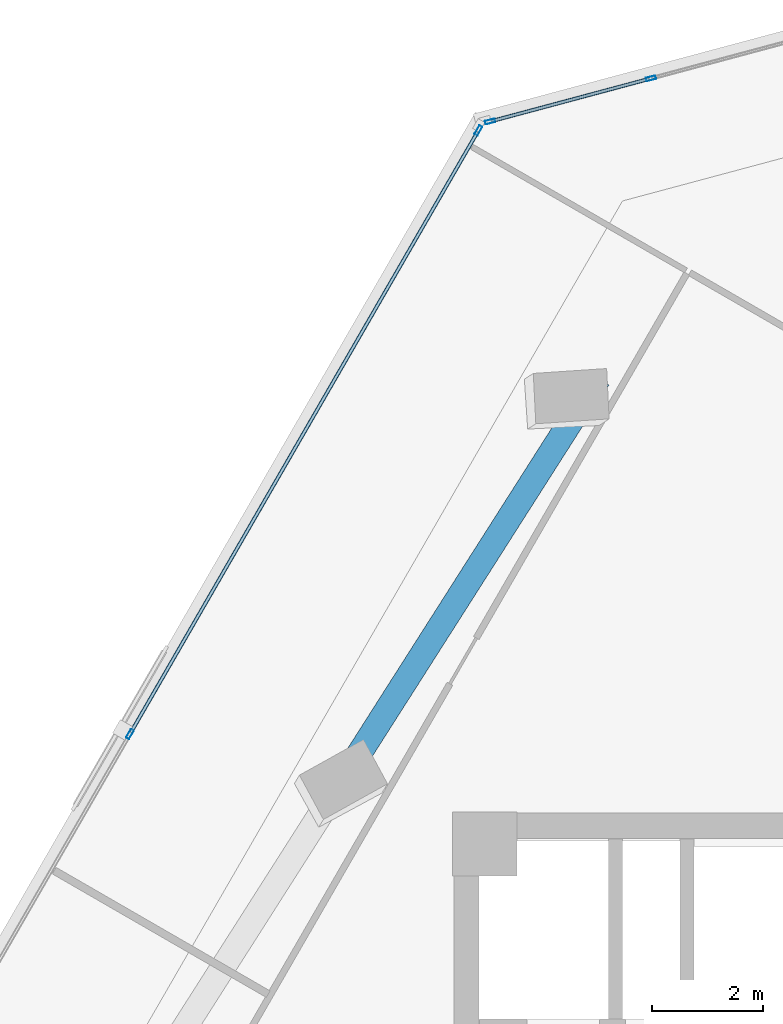
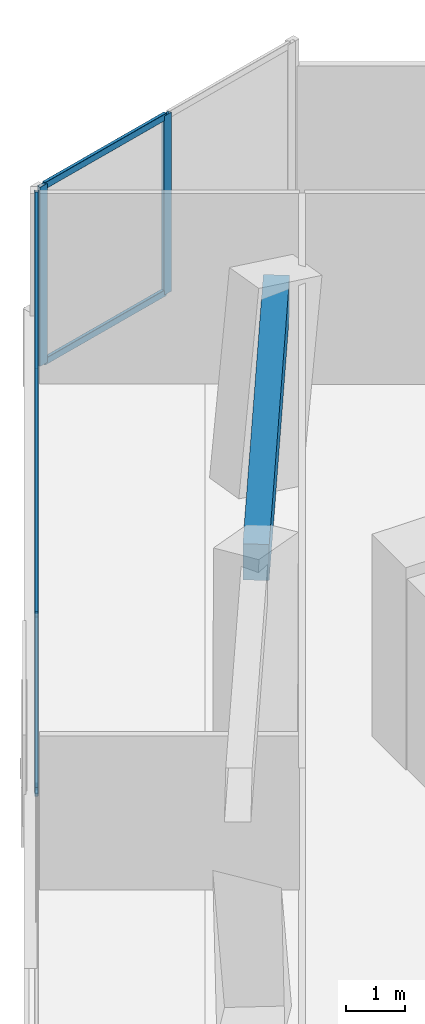
# One storey, part 12 of 22: 8 members, 1 beam, 2 elements without a shape of their own.
"""IFC4 building model written with IfcOpenShell, lengths in metres."""

from ifc_helpers import new_model, si_unit, direction, frame, origin, origin_2d, place, context, subcontext, project, spatial, rectangle, hollow_rectangle, extrude, source, transform, mapped, material, material_profile, profile_set, type_object, element, aggregate, save


model = new_model("IFC4")

# Units and contexts
model_context = context("Model", 3, precision=1e-05, world=origin(), true_north=direction((0.0, 1.0)))
body_context = subcontext(model_context, "Body", "Model", "MODEL_VIEW")
ifc_project = project(units=[si_unit("LENGTHUNIT", "METRE"), si_unit("AREAUNIT", "SQUARE_METRE"), si_unit("VOLUMEUNIT", "CUBIC_METRE"), si_unit("PLANEANGLEUNIT", "RADIAN"), si_unit("MASSUNIT", "GRAM", prefix="KILO")], contexts=[model_context])

# Site, building, storey
site_placement = place(None, origin())
site = spatial("IfcSite", under=ifc_project, at=site_placement, CompositionType="ELEMENT")
building_placement = place(site_placement, origin())
building = spatial("IfcBuilding", under=site, at=building_placement, Name="Torre Montelarca", CompositionType="ELEMENT")
storey_placement = place(building_placement, frame((0.0, 0.0, 183.39990234375)))
storey = spatial("IfcBuildingStorey", under=building, at=storey_placement, Name="L41", CompositionType="ELEMENT", Elevation=183.39990234375)

# Beam
ifc_material_1 = material(Name="Concrete C55/67", Category="concrete")
ifc_material_profile_1 = material_profile(ifc_material_1, rectangle(XDim=0.449951171875, YDim=0.75, at=origin_2d()), Name="RCB450X750", Category="concrete")
ifc_profile_set_1 = profile_set([ifc_material_profile_1], Name="Concrete C55/67")
beam_type = type_object("IfcBeamType", Name="BM-SP-RC750-EXT", PredefinedType="SPANDREL", material=ifc_profile_set_1)
shared_shape_1 = source(origin(), body_context, "Body", "SweptSolid", [
    extrude(rectangle(XDim=0.449951171875, YDim=0.75, at=origin_2d()), origin(), (0.0, 0.0, 1.0), 8.0),
])
beam_placement = place(storey_placement, frame((7.288818359375, 41.053466796875, 3.585205078125), z_axis=(0.537319715065, 0.843378636084, 0.0), x_axis=(-0.843378636084, 0.537319715065, 0.0)))
element("IfcBeam", 1, at=beam_placement, inside=storey, type_object=beam_type, Name="L41 Grid Girder Y 32.0-40.0 at X=4.7", PredefinedType="SPANDREL", context=body_context, shape_type="MappedRepresentation", body=[
    mapped(shared_shape_1, transform((0.0, 0.0, 0.0), scale=1.0)),
])

# Curtain wall, members
ifc_material_2 = material(Name="Insulated low-E laminated glass", Category="glass")
curtain_wall_type = type_object("IfcCurtainWallType", Name="CW-SYS-Z2", PredefinedType="USERDEFINED", material=ifc_material_2)
curtain_wall_1_placement = place(storey_placement, origin())
curtain_wall_1 = element("IfcCurtainWall", 2, at=curtain_wall_1_placement, inside=storey, type_object=curtain_wall_type, Name="L41 Curtain Wall Run CW-T3-L41-E09-B1", ObjectType="UNITISED GLAZING", PredefinedType="USERDEFINED")
ifc_material_3 = material(Name="Anodised aluminium AA 6063-T6", Category="aluminium")
ifc_material_profile_2 = material_profile(ifc_material_3, hollow_rectangle(XDim=0.06494140625, YDim=0.139892578125, WallThickness=0.00390625, InnerFilletRadius=0.00390625, OuterFilletRadius=0.008056640625, at=origin_2d()), Name="ALU65X140X4", Category="aluminium")
ifc_profile_set_2 = profile_set([ifc_material_profile_2], Name="Anodised aluminium AA 6063-T6")
member_type_1 = type_object("IfcMemberType", Name="CWT-ALU140", PredefinedType="USERDEFINED", material=ifc_profile_set_2)
shared_shape_2 = source(origin(), body_context, "Body", "SweptSolid", [
    extrude(hollow_rectangle(XDim=0.06494140625, YDim=0.139892578125, WallThickness=0.00390625, InnerFilletRadius=0.00390625, OuterFilletRadius=0.008056640625, at=origin_2d()), origin(), (0.0, 0.0, 1.0), 2.91845703125),
])
member_1_placement = place(storey_placement, frame((12.4990234375, 53.172119140625, 0.03271484375), z_axis=(-0.965926021302, -0.258818317304, 0.0), x_axis=(0.258818317304, -0.965926021302, 0.0)))
member_1 = element("IfcMember", 3, at=member_1_placement, type_object=member_type_1, Name="CW transom 2.1", ObjectType="TRANSOM", PredefinedType="USERDEFINED", context=body_context, shape_type="MappedRepresentation", body=[
    mapped(shared_shape_2, transform((0.0, 0.0, 0.0), scale=1.0)),
])
member_2_placement = place(storey_placement, frame((12.4990234375, 53.172119140625, 3.6875), z_axis=(-0.965926021302, -0.258818317304, 0.0), x_axis=(0.258818317304, -0.965926021302, 0.0)))
member_2 = element("IfcMember", 4, at=member_2_placement, type_object=member_type_1, Name="CW transom 2.2", ObjectType="TRANSOM", PredefinedType="USERDEFINED", context=body_context, shape_type="MappedRepresentation", body=[
    mapped(shared_shape_2, transform((0.0, 0.0, 0.0), scale=1.0)),
])

curtain_wall_2_placement = place(storey_placement, origin())
curtain_wall_2 = element("IfcCurtainWall", 5, at=curtain_wall_2_placement, inside=storey, type_object=curtain_wall_type, Name="L41 Curtain Wall Run CW-T3-L41-E10-B1", ObjectType="UNITISED GLAZING", PredefinedType="USERDEFINED")
shared_shape_3 = source(origin(), body_context, "Body", "SweptSolid", [
    extrude(hollow_rectangle(XDim=0.06494140625, YDim=0.139892578125, WallThickness=0.00390625, InnerFilletRadius=0.00390625, OuterFilletRadius=0.008056640625, at=origin_2d()), origin(), (0.0, 0.0, 1.0), 12.4365234375),
])
member_3_placement = place(storey_placement, frame((9.42041015625, 52.217529296875, 0.03271484375), z_axis=(-0.500002839747, -0.86602376425, 0.0), x_axis=(0.86602376425, -0.500002839747, 0.0)))
member_3 = element("IfcMember", 6, at=member_3_placement, type_object=member_type_1, Name="CW transom 1.1", ObjectType="TRANSOM", PredefinedType="USERDEFINED", context=body_context, shape_type="MappedRepresentation", body=[
    mapped(shared_shape_3, transform((0.0, 0.0, 0.0), scale=1.0)),
])
member_4_placement = place(storey_placement, frame((9.42041015625, 52.217529296875, 3.6875), z_axis=(-0.500002839747, -0.86602376425, 0.0), x_axis=(0.86602376425, -0.500002839747, 0.0)))
member_4 = element("IfcMember", 7, at=member_4_placement, type_object=member_type_1, Name="CW transom 1.2", ObjectType="TRANSOM", PredefinedType="USERDEFINED", context=body_context, shape_type="MappedRepresentation", body=[
    mapped(shared_shape_3, transform((0.0, 0.0, 0.0), scale=1.0)),
])

# Member
ifc_material_profile_3 = material_profile(ifc_material_3, hollow_rectangle(XDim=0.06494140625, YDim=0.179931640625, WallThickness=0.00390625, InnerFilletRadius=0.00390625, OuterFilletRadius=0.008056640625, at=origin_2d()), Name="ALU65X180X4", Category="aluminium")
ifc_profile_set_3 = profile_set([ifc_material_profile_3], Name="Anodised aluminium AA 6063-T6")
member_type_2 = type_object("IfcMemberType", Name="CWM-ALU180", PredefinedType="MULLION", material=ifc_profile_set_3)
shared_shape_4 = source(origin(), body_context, "Body", "SweptSolid", [
    extrude(hollow_rectangle(XDim=0.06494140625, YDim=0.179931640625, WallThickness=0.00390625, InnerFilletRadius=0.00390625, OuterFilletRadius=0.008056640625, at=origin_2d()), origin(), (0.0, 0.0, 1.0), 3.72021484375),
])
member_5_placement = place(storey_placement, frame((12.530517578125, 53.180419921875, 0.0), z_axis=(0.0, 0.0, 1.0), x_axis=(0.258813977273, -0.965927184196, 0.0)))
member_5 = element("IfcMember", 8, at=member_5_placement, type_object=member_type_2, Name="CW mullion 2", PredefinedType="MULLION", context=body_context, shape_type="MappedRepresentation", body=[
    mapped(shared_shape_4, transform((0.0, 0.0, 0.0), scale=1.0)),
])

member_6_placement = place(storey_placement, frame((9.648681640625, 52.408203125, 0.0), z_axis=(0.0, 0.0, 1.0), x_axis=(0.258813977273, -0.965927184196, 0.0)))
member_6 = element("IfcMember", 9, at=member_6_placement, type_object=member_type_2, Name="CW mullion 3", PredefinedType="MULLION", context=body_context, shape_type="MappedRepresentation", body=[
    mapped(shared_shape_4, transform((0.0, 0.0, 0.0), scale=1.0)),
])

aggregate(curtain_wall_1, [member_5, member_6, member_1, member_2])

member_7_placement = place(storey_placement, frame((9.436767578125, 52.245849609375, 0.0), z_axis=(0.0, 0.0, 1.0), x_axis=(0.8660246934, -0.500001230421, 0.0)))
member_7 = element("IfcMember", 10, at=member_7_placement, type_object=member_type_2, Name="CW mullion 1", PredefinedType="MULLION", context=body_context, shape_type="MappedRepresentation", body=[
    mapped(shared_shape_4, transform((0.0, 0.0, 0.0), scale=1.0)),
])

member_8_placement = place(storey_placement, frame((3.185791015625, 41.4189453125, 0.0), z_axis=(0.0, 0.0, 1.0), x_axis=(0.8660246934, -0.500001230421, 0.0)))
member_8 = element("IfcMember", 11, at=member_8_placement, type_object=member_type_2, Name="CW mullion 2", PredefinedType="MULLION", context=body_context, shape_type="MappedRepresentation", body=[
    mapped(shared_shape_4, transform((0.0, 0.0, 0.0), scale=1.0)),
])

aggregate(curtain_wall_2, [member_7, member_8, member_3, member_4])

save(model, "model.ifc")
